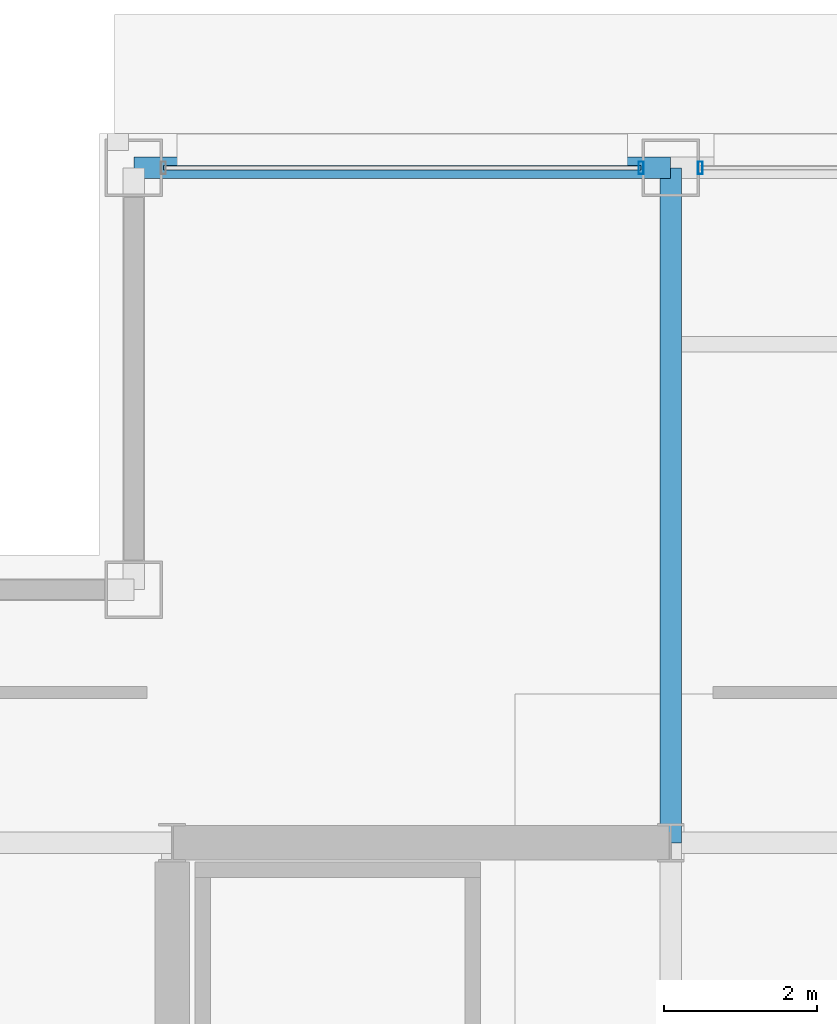
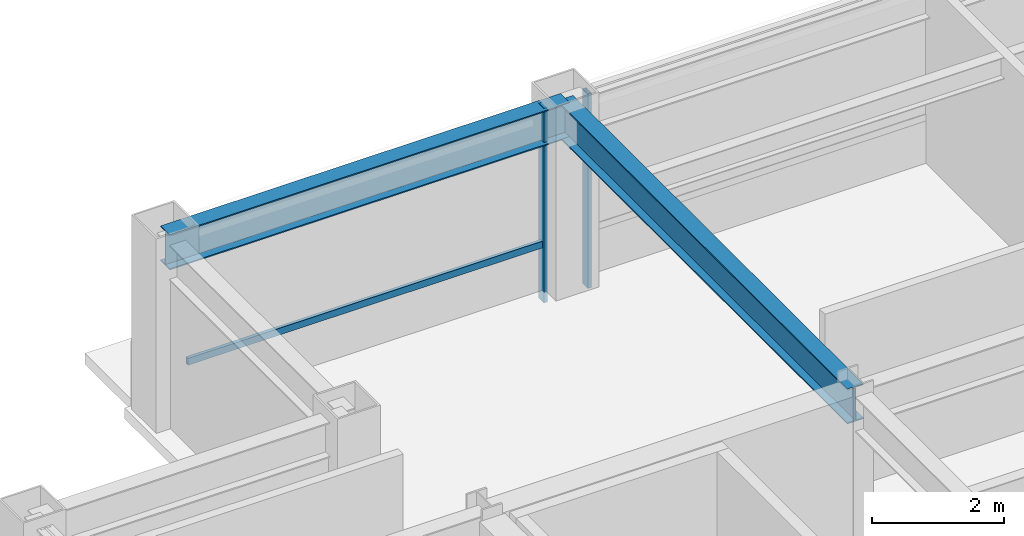
# One storey, part 19 of 26: 3 members, 2 beams, 2 elements without a shape of their own.
"""IFC4 building model written with IfcOpenShell, lengths in metres."""

import ifcopenshell
import ifcopenshell.guid

model = None  # the IFC model being written
_history = None  # IfcOwnerHistory: only IFC2X3 demands one
_inside = {}  # id of a spatial element -> (the spatial element, [elements in it])
_under = {}  # id of a project, library or spatial element -> (it, [spatial elements below it])
_declared = {}  # id of a project -> (the project, [libraries it declares])
_typed = {}  # id of a type object -> (the type object, [elements of that type])
_made_of = {}  # id of a material, layer set ... -> (it, [elements and type objects made of it])


def new_model(schema):
    """Start an empty IFC model of exactly this schema.

    Asked for "IFC4X3", IfcOpenShell would pick the latest addendum, in which some entities
    have other attributes; the version numbers below select the first issue.
    IFC2X3 requires an IfcOwnerHistory on every rooted entity: one is made here for all.
    """
    global model, _history
    if schema == "IFC4X3":
        model = ifcopenshell.file(schema_version=(4, 3, 0, 0))
    else:
        model = ifcopenshell.file(schema=schema)
    _inside.clear()
    _under.clear()
    _declared.clear()
    _typed.clear()
    _made_of.clear()
    _history = None
    if model.schema == "IFC2X3":
        org = make("IfcOrganization", Name="unknown")
        user = make(
            "IfcPersonAndOrganization",
            ThePerson=make("IfcPerson", FamilyName="unknown"),
            TheOrganization=org,
        )
        app = make(
            "IfcApplication",
            ApplicationDeveloper=org,
            Version="unknown",
            ApplicationFullName="unknown",
            ApplicationIdentifier="unknown",
        )
        _history = make(
            "IfcOwnerHistory",
            OwningUser=user,
            OwningApplication=app,
            ChangeAction="ADDED",
            CreationDate=0,
        )
    return model


def make(cls, **values):
    """One entity of the class cls with the attributes given. An attribute that is None is left unset."""
    return model.create_entity(
        cls, **{name: value for name, value in values.items() if value is not None}
    )


def rooted(cls, **values):
    """An entity with a GlobalId (a new one), such as an element, a storey or a relation."""
    return make(cls, GlobalId=ifcopenshell.guid.new(), OwnerHistory=_history, **values)


def si_unit(unit_type, name, prefix=None):
    """IfcSIUnit, for example si_unit("LENGTHUNIT", "METRE", prefix="MILLI")."""
    return make("IfcSIUnit", UnitType=unit_type, Prefix=prefix, Name=name)


def assignment(units):
    """IfcUnitAssignment: the units of a project."""
    return None if units is None else make("IfcUnitAssignment", Units=units)


def point(xyz):
    """IfcCartesianPoint."""
    return None if xyz is None else make("IfcCartesianPoint", Coordinates=xyz)


def direction(xyz):
    """IfcDirection."""
    return None if xyz is None else make("IfcDirection", DirectionRatios=xyz)


def frame(location, z_axis=None, x_axis=None):
    """IfcAxis2Placement3D, a coordinate frame: its origin and axes. An axis left out is left unset."""
    return make(
        "IfcAxis2Placement3D",
        Location=point(location),
        Axis=direction(z_axis),
        RefDirection=direction(x_axis),
    )


def frame_2d(location, x_axis=None):
    """IfcAxis2Placement2D, a coordinate frame in the plane: its origin and x axis."""
    return make(
        "IfcAxis2Placement2D", Location=point(location), RefDirection=direction(x_axis)
    )


def origin():
    """The frame at (0, 0, 0) with its axes left unset."""
    return frame((0.0, 0.0, 0.0))


def origin_2d():
    """The frame at (0, 0) in the plane with its x axis left unset."""
    return frame_2d((0.0, 0.0))


def place(relative_to, where):
    """IfcLocalPlacement: puts the frame where relative to a parent placement (None: the world)."""
    return make(
        "IfcLocalPlacement", PlacementRelTo=relative_to, RelativePlacement=where
    )


def context(
    kind, dimensions, precision=None, world=None, true_north=None, identifier=None
):
    """IfcGeometricRepresentationContext, for example the 3D "Model" context."""
    return make(
        "IfcGeometricRepresentationContext",
        ContextIdentifier=identifier,
        ContextType=kind,
        CoordinateSpaceDimension=dimensions,
        Precision=precision,
        WorldCoordinateSystem=world,
        TrueNorth=true_north,
    )


def subcontext(parent, identifier, kind, view, scale=None):
    """IfcGeometricRepresentationSubContext, for example "Body" below "Model"."""
    return make(
        "IfcGeometricRepresentationSubContext",
        ContextIdentifier=identifier,
        ContextType=kind,
        ParentContext=parent,
        TargetScale=scale,
        TargetView=view,
    )


def project(units=None, contexts=None):
    """IfcProject with its units and contexts."""
    return rooted(
        "IfcProject",
        Name="project",
        RepresentationContexts=contexts,
        UnitsInContext=assignment(units),
    )


def spatial(cls, under=None, at=None, **own):
    """A site, building, storey or space (cls), placed at a placement, below another one or the project."""
    s = rooted(cls, ObjectPlacement=at, **own)
    if under is not None:
        _under.setdefault(under.id(), (under, []))[1].append(s)
    return s


def profile(cls, at=None, kind="AREA", **sizes):
    """A parametric profile (cls). Its sizes go by their IFC names, for example OverallWidth=200.0."""
    return make(cls, ProfileType=kind, Position=at, **sizes)


def hollow_rectangle(**sizes):
    """IfcRectangleHollowProfileDef."""
    return profile("IfcRectangleHollowProfileDef", **sizes)


def i_section(**sizes):
    """IfcIShapeProfileDef."""
    return profile("IfcIShapeProfileDef", **sizes)


def extrude(swept, where, along, depth):
    """IfcExtrudedAreaSolid: the profile swept, set in the frame where, extruded along a direction by depth."""
    return make(
        "IfcExtrudedAreaSolid",
        SweptArea=swept,
        Position=where,
        ExtrudedDirection=direction(along),
        Depth=depth,
    )


def shape(context_of_items, identifier, shape_type, items):
    """IfcShapeRepresentation: the items that make up one representation, for example the "Body"."""
    return make(
        "IfcShapeRepresentation",
        ContextOfItems=context_of_items,
        RepresentationIdentifier=identifier,
        RepresentationType=shape_type,
        Items=items,
    )


def material(Name=None, Category=None):
    """IfcMaterial."""
    return make("IfcMaterial", Name=Name, Category=Category)


def layer(
    of_material, thickness, ventilated=None, Name=None, Category=None, Priority=None
):
    """IfcMaterialLayer: one layer of a wall or slab, of a material (None: an air gap)."""
    return make(
        "IfcMaterialLayer",
        Material=of_material,
        LayerThickness=thickness,
        IsVentilated=ventilated,
        Name=Name,
        Category=Category,
        Priority=Priority,
    )


def layer_set(layers, Name=None):
    """IfcMaterialLayerSet."""
    return make("IfcMaterialLayerSet", MaterialLayers=layers, LayerSetName=Name)


def material_profile(
    of_material, cross_section, Name=None, Category=None, Priority=None
):
    """IfcMaterialProfile: a cross section and its material."""
    return make(
        "IfcMaterialProfile",
        Name=Name,
        Material=of_material,
        Profile=cross_section,
        Priority=Priority,
        Category=Category,
    )


def profile_set(profiles, Name=None, composite=None):
    """IfcMaterialProfileSet."""
    return make(
        "IfcMaterialProfileSet",
        Name=Name,
        MaterialProfiles=profiles,
        CompositeProfile=composite,
    )


def made_of(thing, what):
    """Note that an element or type object is made of a material, layer set ...; save() writes the relation."""
    if what is not None:
        _made_of.setdefault(what.id(), (what, []))[1].append(thing)
    return thing


def type_object(cls, material=None, **own):
    """A type object (cls), such as IfcWallType, which elements share."""
    return made_of(rooted(cls, **own), material)


def element(
    cls,
    number,
    at=None,
    inside=None,
    cuts=None,
    type_object=None,
    material=None,
    context=None,
    identifier="Body",
    shape_type=None,
    held_by="IfcProductDefinitionShape",
    body=None,
    shapes=None,
    **own,
):
    """One element of the class cls, such as IfcWall. Its Tag is "e" and its number.

    at: its placement. inside: the storey or other place that contains it. cuts: it is an
    opening in that element (IfcRelVoidsElement). A single representation is given by context,
    identifier, shape_type and body (its items); several are given by shapes. held_by: the class
    of the entity that holds the representations. save() writes the other relations.
    """
    e = rooted(cls, Tag="e%d" % number, ObjectPlacement=at, **own)
    if body is not None:
        shapes = [shape(context, identifier, shape_type, body)]
    if shapes is not None:
        e.Representation = make(held_by, Representations=shapes)
    if inside is not None:
        _inside.setdefault(inside.id(), (inside, []))[1].append(e)
    if cuts is not None:
        rooted(
            "IfcRelVoidsElement", RelatingBuildingElement=cuts, RelatedOpeningElement=e
        )
    if type_object is not None:
        _typed.setdefault(type_object.id(), (type_object, []))[1].append(e)
    return made_of(e, material)


def aggregate(whole, parts):
    """IfcRelAggregates: a whole, such as a stair, and the parts it consists of."""
    return rooted("IfcRelAggregates", RelatingObject=whole, RelatedObjects=parts)


def save(model, path):
    """Write the relations noted so far, then the file.

    IfcRelAggregates (storeys below a building ...), IfcRelContainedInSpatialStructure (elements
    in a storey), IfcRelDefinesByType, IfcRelAssociatesMaterial and IfcRelDeclares: one each for
    every whole, place, type object, material and project.
    """
    for whole, parts in _under.values():
        aggregate(whole, parts)
    for where, things in _inside.values():
        rooted(
            "IfcRelContainedInSpatialStructure",
            RelatedElements=things,
            RelatingStructure=where,
        )
    for kind, things in _typed.values():
        rooted("IfcRelDefinesByType", RelatedObjects=things, RelatingType=kind)
    for what, things in _made_of.values():
        rooted("IfcRelAssociatesMaterial", RelatedObjects=things, RelatingMaterial=what)
    for by, libraries in _declared.values():
        rooted("IfcRelDeclares", RelatingContext=by, RelatedDefinitions=libraries)
    model.write(path)


model = new_model("IFC4")

# Units and contexts
model_context = context("Model", 3, precision=1e-05, world=origin(), true_north=direction((0.0, 1.0)))
body_context = subcontext(model_context, "Body", "Model", "MODEL_VIEW")
ifc_project = project(units=[si_unit("LENGTHUNIT", "METRE"), si_unit("AREAUNIT", "SQUARE_METRE"), si_unit("VOLUMEUNIT", "CUBIC_METRE"), si_unit("PLANEANGLEUNIT", "RADIAN"), si_unit("MASSUNIT", "GRAM", prefix="KILO")], contexts=[model_context])

# Site, building, storey
site_placement = place(None, origin())
site = spatial("IfcSite", under=ifc_project, at=site_placement, CompositionType="ELEMENT")
building_placement = place(site_placement, origin())
building = spatial("IfcBuilding", under=site, at=building_placement, Name="Brelmoor Portico Tower", CompositionType="ELEMENT")
storey_placement = place(building_placement, frame((0.0, 0.0, 180.300048828125)))
storey = spatial("IfcBuildingStorey", under=building, at=storey_placement, Name="L47", CompositionType="ELEMENT", Elevation=180.300048828125)

# Beams
ifc_material_1 = material(Name="Steel Q355B", Category="steel")
ifc_material_profile_1 = material_profile(ifc_material_1, i_section(OverallWidth=0.280029296875, OverallDepth=0.64990234375, WebThickness=0.012939453125, FlangeThickness=0.02197265625, at=origin_2d()), Name="HN 650x280x13x22")
ifc_profile_set_1 = profile_set([ifc_material_profile_1], Name="Steel Q355B")
beam_type_1 = type_object("IfcBeamType", Name="BM-PG-650", PredefinedType="BEAM", material=ifc_profile_set_1)
beam_1_placement = place(storey_placement, frame((-8.050048828125, 9.75, 3.074951171875), z_axis=(0.0, 1.0, 0.0), x_axis=(-1.0, 0.0, 0.0)))
element("IfcBeam", 1, at=beam_1_placement, inside=storey, type_object=beam_type_1, Name="L47 Primary Floor Girder PG-05", PredefinedType="BEAM", context=body_context, shape_type="SweptSolid", body=[
    extrude(i_section(OverallWidth=0.280029296875, OverallDepth=0.64990234375, WebThickness=0.012939453125, FlangeThickness=0.02197265625, at=origin_2d()), origin(), (0.0, 0.0, 1.0), 8.800048828125),
])
ifc_material_profile_2 = material_profile(ifc_material_1, i_section(OverallWidth=0.280029296875, OverallDepth=0.64990234375, WebThickness=0.012939453125, FlangeThickness=0.02197265625, at=origin_2d()), Name="HN 650x280x13x22")
ifc_profile_set_2 = profile_set([ifc_material_profile_2], Name="Steel Q355B")
beam_type_2 = type_object("IfcBeamType", Name="BM-SP-650", PredefinedType="SPANDREL", material=ifc_profile_set_2)
beam_2_placement = place(storey_placement, frame((-15.050048828125, 18.550048828125, 3.074951171875), z_axis=(1.0, 0.0, 0.0), x_axis=(0.0, 1.0, 0.0)))
element("IfcBeam", 2, at=beam_2_placement, inside=storey, type_object=beam_type_2, Name="L47 Perimeter Spandrel Beam SP-08", PredefinedType="SPANDREL", context=body_context, shape_type="SweptSolid", body=[
    extrude(i_section(OverallWidth=0.280029296875, OverallDepth=0.64990234375, WebThickness=0.012939453125, FlangeThickness=0.02197265625, at=origin_2d()), origin(), (0.0, 0.0, 1.0), 7.0),
])

# Curtain wall, member
ifc_material_2 = material(Name="Anodised Aluminium Alloy 6063-T6", Category="aluminium")
ifc_layer = layer(ifc_material_2, 0.179931640625)
ifc_layer_set = layer_set([ifc_layer], Name="Anodised Aluminium Alloy 6063-T6")
curtain_wall_type = type_object("IfcCurtainWallType", Name="CW-TOWER-Z3", PredefinedType="NOTDEFINED", material=ifc_layer_set)
curtain_wall_1_placement = place(storey_placement, origin())
curtain_wall_1 = element("IfcCurtainWall", 3, at=curtain_wall_1_placement, inside=storey, type_object=curtain_wall_type, Name="L47 Curtain Wall CW-L47-02-1", PredefinedType="NOTDEFINED")
ifc_material_profile_3 = material_profile(ifc_material_2, hollow_rectangle(XDim=0.06494140625, YDim=0.1650390625, WallThickness=0.00390625, at=origin_2d()), Name="ALU MULLION 65x165")
ifc_profile_set_3 = profile_set([ifc_material_profile_3], Name="Anodised Aluminium Alloy 6063-T6")
member_type_1 = type_object("IfcMemberType", Name="MB-CW-MULL-165", PredefinedType="MULLION", material=ifc_profile_set_3)
member_1_placement = place(storey_placement, frame((-8.43505859375, 18.550048828125, -0.199951171875), z_axis=(0.0, 0.0, 1.0), x_axis=(1.0, 0.0, 0.0)))
member_1 = element("IfcMember", 4, at=member_1_placement, type_object=member_type_1, Name="CW-L47-02-1 Mullion 01", PredefinedType="MULLION", context=body_context, shape_type="SweptSolid", body=[
    extrude(hollow_rectangle(XDim=0.06494140625, YDim=0.1650390625, WallThickness=0.00390625, at=origin_2d()), origin(), (0.0, 0.0, 1.0), 3.599853515625),
])

curtain_wall_2_placement = place(storey_placement, origin())
curtain_wall_2 = element("IfcCurtainWall", 5, at=curtain_wall_2_placement, inside=storey, type_object=curtain_wall_type, Name="L47 Curtain Wall CW-L47-02-2", PredefinedType="NOTDEFINED")
member_2_placement = place(storey_placement, frame((-7.6650390625, 18.550048828125, -0.199951171875), z_axis=(0.0, 0.0, 1.0), x_axis=(1.0, 0.0, 0.0)))
member_2 = element("IfcMember", 6, at=member_2_placement, type_object=member_type_1, Name="CW-L47-02-2 Mullion 00", PredefinedType="MULLION", context=body_context, shape_type="SweptSolid", body=[
    extrude(hollow_rectangle(XDim=0.06494140625, YDim=0.1650390625, WallThickness=0.00390625, at=origin_2d()), origin(), (0.0, 0.0, 1.0), 3.599853515625),
])
aggregate(curtain_wall_2, [member_2])

# Member
ifc_material_profile_4 = material_profile(ifc_material_2, hollow_rectangle(XDim=0.06005859375, YDim=0.125, WallThickness=0.00341796875, at=origin_2d()), Name="ALU TRANSOM 60x125")
ifc_profile_set_4 = profile_set([ifc_material_profile_4], Name="Anodised Aluminium Alloy 6063-T6")
member_type_2 = type_object("IfcMemberType", Name="MB-CW-TRAN-125", PredefinedType="USERDEFINED", material=ifc_profile_set_4)
member_3_placement = place(storey_placement, frame((-14.6650390625, 18.550048828125, 0.849853515625), z_axis=(1.0, 0.0, 0.0), x_axis=(0.0, 1.0, 0.0)))
member_3 = element("IfcMember", 7, at=member_3_placement, type_object=member_type_2, Name="CW-L47-02-1 Transom 1-00", ObjectType="TRANSOM", PredefinedType="USERDEFINED", context=body_context, shape_type="SweptSolid", body=[
    extrude(hollow_rectangle(XDim=0.06005859375, YDim=0.125, WallThickness=0.00341796875, at=origin_2d()), origin(), (0.0, 0.0, 1.0), 6.22998046875),
])

aggregate(curtain_wall_1, [member_1, member_3])

save(model, "model.ifc")
